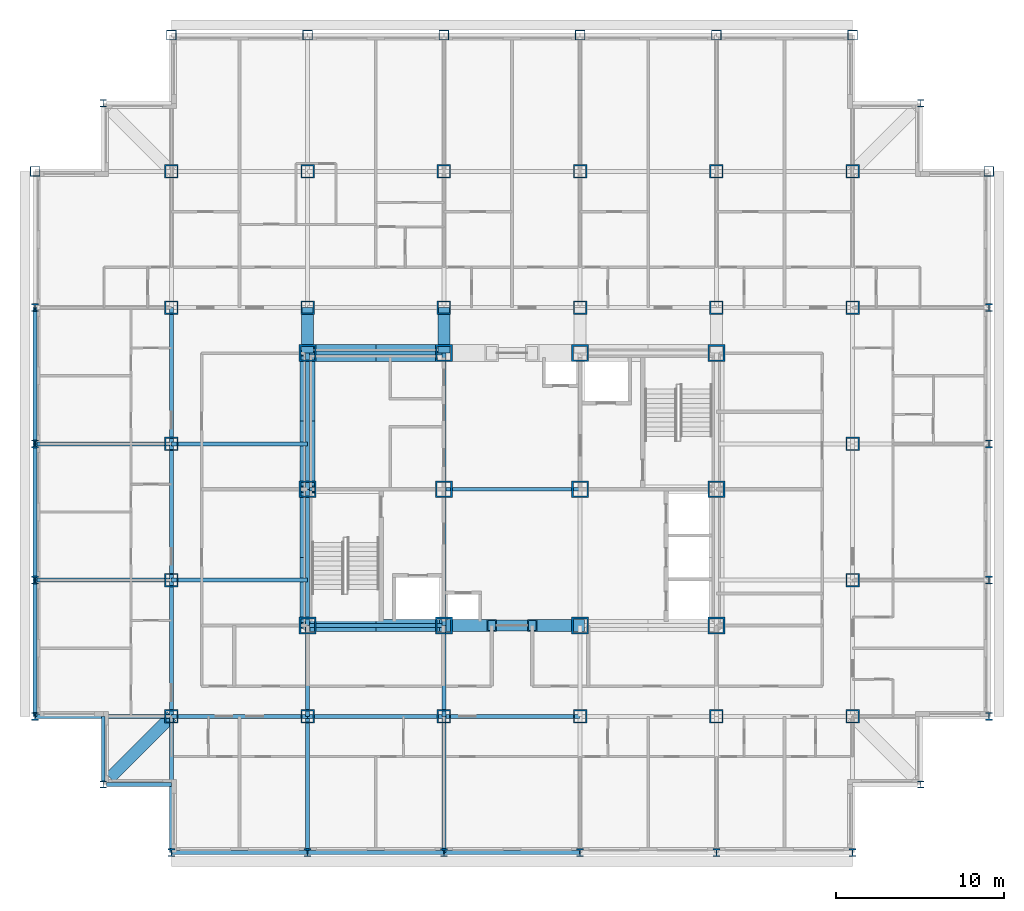
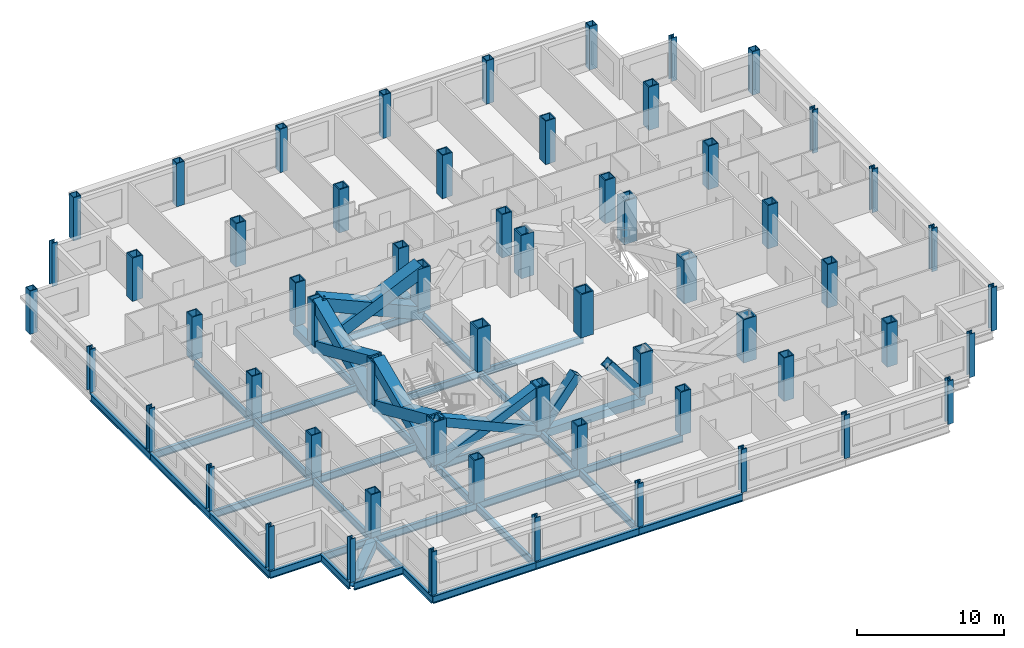
# One storey, part 1 of 12: 60 columns, 36 beams, 10 members.
"""IFC4 building model written with IfcOpenShell, lengths in metres."""

from ifc_helpers import new_model, si_unit, direction, frame, origin, origin_2d, place, context, subcontext, project, spatial, hollow_rectangle, i_section, extrude, material, material_profile, profile_set, type_object, element, save


model = new_model("IFC4")

# Units and contexts
model_context = context("Model", 3, precision=1e-05, world=origin(), true_north=direction((0.0, 1.0)))
body_context = subcontext(model_context, "Body", "Model", "MODEL_VIEW")
ifc_project = project(units=[si_unit("LENGTHUNIT", "METRE"), si_unit("AREAUNIT", "SQUARE_METRE"), si_unit("VOLUMEUNIT", "CUBIC_METRE"), si_unit("PLANEANGLEUNIT", "RADIAN"), si_unit("MASSUNIT", "GRAM", prefix="KILO")], contexts=[model_context])

# Site, building, storey
site_placement = place(None, origin())
site = spatial("IfcSite", under=ifc_project, at=site_placement, CompositionType="ELEMENT")
building_placement = place(site_placement, origin())
building = spatial("IfcBuilding", under=site, at=building_placement, Name="Kopane Lantern Tower", CompositionType="ELEMENT")
storey_placement = place(building_placement, frame((0.0, 0.0, 192.0)))
storey = spatial("IfcBuildingStorey", under=building, at=storey_placement, Name="L49", CompositionType="ELEMENT", Elevation=192.0)

# Columns
ifc_material_1 = material(Name="Steel S355JR", Category="steel")
ifc_material_profile_1 = material_profile(ifc_material_1, hollow_rectangle(XDim=1.0, YDim=1.0, WallThickness=0.10009765625, at=origin_2d()), Name="BOX 1000x1000x100")
ifc_profile_set_1 = profile_set([ifc_material_profile_1], Name="Steel S355JR")
column_type_1 = type_object("IfcColumnType", Name="COLUMN BOX 1000x1000x100", PredefinedType="COLUMN", material=ifc_profile_set_1)
for number, where, z_axis, x_axis, name in (
    (1, (16.199951171875, 24.300048828125, 0.0), (0.0, 0.0, 1.0), (1.0, 0.0, 0.0), "Column 4/E L49"),
    (2, (16.199951171875, 32.39990234375, 0.0), (0.0, 0.0, 1.0), (1.0, 0.0, 0.0), "Column 4/F L49"),
    (3, (16.199951171875, 40.5, 0.0), (0.0, 0.0, 1.0), (1.0, 0.0, 0.0), "Column 4/G L49"),
    (4, (24.300048828125, 24.300048828125, 0.0), (0.0, 0.0, 1.0), (1.0, 0.0, 0.0), "Column 5/E L49"),
    (5, (24.300048828125, 32.39990234375, 0.0), (0.0, 0.0, 1.0), (1.0, 0.0, 0.0), "Column 5/F L49"),
    (6, (24.300048828125, 40.5, 0.0), (0.0, 0.0, 1.0), (1.0, 0.0, 0.0), "Column 5/G L49"),
    (7, (32.39990234375, 24.300048828125, 0.0), (0.0, 0.0, 1.0), (1.0, 0.0, 0.0), "Column 6/E L49"),
    (8, (32.39990234375, 32.39990234375, 0.0), (0.0, 0.0, 1.0), (1.0, 0.0, 0.0), "Column 6/F L49"),
    (9, (32.39990234375, 40.5, 0.0), (0.0, 0.0, 1.0), (1.0, 0.0, 0.0), "Column 6/G L49"),
    (10, (40.5, 24.300048828125, 0.0), (0.0, 0.0, 1.0), (1.0, 0.0, 0.0), "Column 7/E L49"),
    (11, (40.5, 32.39990234375, 0.0), (0.0, 0.0, 1.0), (1.0, 0.0, 0.0), "Column 7/F L49"),
    (12, (40.5, 40.5, 0.0), (0.0, 0.0, 1.0), (1.0, 0.0, 0.0), "Column 7/G L49"),
):
    element("IfcColumn", number, at=place(storey_placement, frame(where, z_axis=z_axis, x_axis=x_axis)), inside=storey, type_object=column_type_1, Name=name, PredefinedType="COLUMN", context=body_context, shape_type="SweptSolid", body=[
        extrude(hollow_rectangle(XDim=1.0, YDim=1.0, WallThickness=0.10009765625, at=origin_2d()), origin(), (0.0, 0.0, 1.0), 3.60009765625),
    ])
ifc_material_2 = material(Name="Steel S355JR", Category="steel")
ifc_material_profile_2 = material_profile(ifc_material_2, hollow_rectangle(XDim=0.60009765625, YDim=0.60009765625, WallThickness=0.050048828125, at=origin_2d()), Name="BOX 600x600x50")
ifc_profile_set_2 = profile_set([ifc_material_profile_2], Name="Steel S355JR")
column_type_2 = type_object("IfcColumnType", Name="COLUMN BOX 600x600x50", PredefinedType="COLUMN", material=ifc_profile_set_2)
for number, where, z_axis, x_axis, name in (
    (13, (0.0, 51.300048828125, 0.0), (0.0, 0.0, 1.0), (1.0, 0.0, 0.0), "Column 2/Q6 L49"),
    (14, (8.10009765625, 59.39990234375, 0.0), (0.0, 0.0, 1.0), (1.0, 0.0, 0.0), "Column 3/Q7 L49"),
    (15, (16.199951171875, 59.39990234375, 0.0), (0.0, 0.0, 1.0), (1.0, 0.0, 0.0), "Column 4/Q7 L49"),
    (16, (24.300048828125, 59.39990234375, 0.0), (0.0, 0.0, 1.0), (1.0, 0.0, 0.0), "Column 5/Q7 L49"),
    (17, (32.39990234375, 59.39990234375, 0.0), (0.0, 0.0, 1.0), (1.0, 0.0, 0.0), "Column 6/Q7 L49"),
    (18, (40.5, 59.39990234375, 0.0), (0.0, 0.0, 1.0), (1.0, 0.0, 0.0), "Column 7/Q7 L49"),
    (19, (48.60009765625, 59.39990234375, 0.0), (0.0, 0.0, 1.0), (1.0, 0.0, 0.0), "Column 8/Q7 L49"),
    (20, (56.699951171875, 51.300048828125, 0.0), (0.0, 0.0, 1.0), (1.0, 0.0, 0.0), "Column 9/Q6 L49"),
):
    element("IfcColumn", number, at=place(storey_placement, frame(where, z_axis=z_axis, x_axis=x_axis)), inside=storey, type_object=column_type_2, Name=name, PredefinedType="COLUMN", context=body_context, shape_type="SweptSolid", body=[
        extrude(hollow_rectangle(XDim=0.60009765625, YDim=0.60009765625, WallThickness=0.050048828125, at=origin_2d()), origin(), (0.0, 0.0, 1.0), 3.60009765625),
    ])
ifc_material_3 = material(Name="Steel S355JR", Category="steel")
ifc_material_profile_3 = material_profile(ifc_material_3, hollow_rectangle(XDim=0.800048828125, YDim=0.800048828125, WallThickness=0.080078125, at=origin_2d()), Name="BOX 800x800x80")
ifc_profile_set_3 = profile_set([ifc_material_profile_3], Name="Steel S355JR")
column_type_3 = type_object("IfcColumnType", Name="COLUMN BOX 800x800x80", PredefinedType="COLUMN", material=ifc_profile_set_3)
for number, where, z_axis, x_axis, name in (
    (21, (8.10009765625, 18.89990234375, 0.0), (0.0, 0.0, 1.0), (1.0, 0.0, 0.0), "Column 3/Q2 L49"),
    (22, (8.10009765625, 27.0, 0.0), (0.0, 0.0, 1.0), (1.0, 0.0, 0.0), "Column 3/Q3 L49"),
    (23, (8.10009765625, 35.10009765625, 0.0), (0.0, 0.0, 1.0), (1.0, 0.0, 0.0), "Column 3/Q4 L49"),
    (24, (8.10009765625, 43.199951171875, 0.0), (0.0, 0.0, 1.0), (1.0, 0.0, 0.0), "Column 3/Q5 L49"),
    (25, (8.10009765625, 51.300048828125, 0.0), (0.0, 0.0, 1.0), (1.0, 0.0, 0.0), "Column 3/Q6 L49"),
    (26, (16.199951171875, 18.89990234375, 0.0), (0.0, 0.0, 1.0), (1.0, 0.0, 0.0), "Column 4/Q2 L49"),
    (27, (16.199951171875, 43.199951171875, 0.0), (0.0, 0.0, 1.0), (1.0, 0.0, 0.0), "Column 4/Q5 L49"),
    (28, (16.199951171875, 51.300048828125, 0.0), (0.0, 0.0, 1.0), (1.0, 0.0, 0.0), "Column 4/Q6 L49"),
    (29, (24.300048828125, 18.89990234375, 0.0), (0.0, 0.0, 1.0), (1.0, 0.0, 0.0), "Column 5/Q2 L49"),
    (30, (24.300048828125, 43.199951171875, 0.0), (0.0, 0.0, 1.0), (1.0, 0.0, 0.0), "Column 5/Q5 L49"),
    (31, (24.300048828125, 51.300048828125, 0.0), (0.0, 0.0, 1.0), (1.0, 0.0, 0.0), "Column 5/Q6 L49"),
    (32, (32.39990234375, 18.89990234375, 0.0), (0.0, 0.0, 1.0), (1.0, 0.0, 0.0), "Column 6/Q2 L49"),
    (33, (32.39990234375, 43.199951171875, 0.0), (0.0, 0.0, 1.0), (1.0, 0.0, 0.0), "Column 6/Q5 L49"),
    (34, (32.39990234375, 51.300048828125, 0.0), (0.0, 0.0, 1.0), (1.0, 0.0, 0.0), "Column 6/Q6 L49"),
    (35, (40.5, 18.89990234375, 0.0), (0.0, 0.0, 1.0), (1.0, 0.0, 0.0), "Column 7/Q2 L49"),
    (36, (40.5, 43.199951171875, 0.0), (0.0, 0.0, 1.0), (1.0, 0.0, 0.0), "Column 7/Q5 L49"),
    (37, (40.5, 51.300048828125, 0.0), (0.0, 0.0, 1.0), (1.0, 0.0, 0.0), "Column 7/Q6 L49"),
    (38, (48.60009765625, 18.89990234375, 0.0), (0.0, 0.0, 1.0), (1.0, 0.0, 0.0), "Column 8/Q2 L49"),
    (39, (48.60009765625, 27.0, 0.0), (0.0, 0.0, 1.0), (1.0, 0.0, 0.0), "Column 8/Q3 L49"),
    (40, (48.60009765625, 35.10009765625, 0.0), (0.0, 0.0, 1.0), (1.0, 0.0, 0.0), "Column 8/Q4 L49"),
    (41, (48.60009765625, 43.199951171875, 0.0), (0.0, 0.0, 1.0), (1.0, 0.0, 0.0), "Column 8/Q5 L49"),
    (42, (48.60009765625, 51.300048828125, 0.0), (0.0, 0.0, 1.0), (1.0, 0.0, 0.0), "Column 8/Q6 L49"),
):
    element("IfcColumn", number, at=place(storey_placement, frame(where, z_axis=z_axis, x_axis=x_axis)), inside=storey, type_object=column_type_3, Name=name, PredefinedType="COLUMN", context=body_context, shape_type="SweptSolid", body=[
        extrude(hollow_rectangle(XDim=0.800048828125, YDim=0.800048828125, WallThickness=0.080078125, at=origin_2d()), origin(), (0.0, 0.0, 1.0), 3.60009765625),
    ])
ifc_material_4 = material(Name="Steel S355JR", Category="steel")
ifc_material_profile_4 = material_profile(ifc_material_4, i_section(OverallWidth=0.406982421875, OverallDepth=0.4189453125, WebThickness=0.030517578125, FlangeThickness=0.04931640625, FilletRadius=0.01513671875, at=origin_2d()), Name="UC 356x406x393")
ifc_profile_set_4 = profile_set([ifc_material_profile_4], Name="Steel S355JR")
column_type_4 = type_object("IfcColumnType", Name="COLUMN UC 356x406x393", PredefinedType="COLUMN", material=ifc_profile_set_4)
for number, where, z_axis, x_axis, name in (
    (43, (4.050048828125, 14.85009765625, 0.0), (0.0, 0.0, 1.0), (1.0, 0.0, 0.0), "Column 4.05/14.85 L49"),
    (44, (4.050048828125, 55.35009765625, 0.0), (0.0, 0.0, 1.0), (1.0, 0.0, 0.0), "Column 4.05/55.35 L49"),
    (45, (52.64990234375, 14.85009765625, 0.0), (0.0, 0.0, 1.0), (1.0, 0.0, 0.0), "Column 52.65/14.85 L49"),
    (46, (52.64990234375, 55.35009765625, 0.0), (0.0, 0.0, 1.0), (1.0, 0.0, 0.0), "Column 52.65/55.35 L49"),
):
    element("IfcColumn", number, at=place(storey_placement, frame(where, z_axis=z_axis, x_axis=x_axis)), inside=storey, type_object=column_type_4, Name=name, PredefinedType="COLUMN", context=body_context, shape_type="SweptSolid", body=[
        extrude(i_section(OverallWidth=0.406982421875, OverallDepth=0.4189453125, WebThickness=0.030517578125, FlangeThickness=0.04931640625, FilletRadius=0.01513671875, at=origin_2d()), origin(), (0.0, 0.0, 1.0), 3.60009765625),
    ])
ifc_material_5 = material(Name="Steel S355JR", Category="steel")
ifc_material_profile_5 = material_profile(ifc_material_5, i_section(OverallWidth=0.424072265625, OverallDepth=0.474609375, WebThickness=0.047607421875, FlangeThickness=0.076904296875, FilletRadius=0.01513671875, at=origin_2d()), Name="UC 356x406x634")
ifc_profile_set_5 = profile_set([ifc_material_profile_5], Name="Steel S355JR")
column_type_5 = type_object("IfcColumnType", Name="COLUMN UC 356x406x634", PredefinedType="COLUMN", material=ifc_profile_set_5)
for number, where, z_axis, x_axis, name in (
    (47, (0.0, 18.89990234375, 0.0), (0.0, 0.0, 1.0), (1.0, 0.0, 0.0), "Column 2/Q2 L49"),
    (48, (0.0, 27.0, 0.0), (0.0, 0.0, 1.0), (1.0, 0.0, 0.0), "Column 2/Q3 L49"),
    (49, (0.0, 35.10009765625, 0.0), (0.0, 0.0, 1.0), (1.0, 0.0, 0.0), "Column 2/Q4 L49"),
    (50, (0.0, 43.199951171875, 0.0), (0.0, 0.0, 1.0), (1.0, 0.0, 0.0), "Column 2/Q5 L49"),
    (51, (8.10009765625, 10.800048828125, 0.0), (0.0, 0.0, 1.0), (1.0, 0.0, 0.0), "Column 3/Q1 L49"),
    (52, (16.199951171875, 10.800048828125, 0.0), (0.0, 0.0, 1.0), (1.0, 0.0, 0.0), "Column 4/Q1 L49"),
    (53, (24.300048828125, 10.800048828125, 0.0), (0.0, 0.0, 1.0), (1.0, 0.0, 0.0), "Column 5/Q1 L49"),
    (54, (32.39990234375, 10.800048828125, 0.0), (0.0, 0.0, 1.0), (1.0, 0.0, 0.0), "Column 6/Q1 L49"),
    (55, (40.5, 10.800048828125, 0.0), (0.0, 0.0, 1.0), (1.0, 0.0, 0.0), "Column 7/Q1 L49"),
    (56, (48.60009765625, 10.800048828125, 0.0), (0.0, 0.0, 1.0), (1.0, 0.0, 0.0), "Column 8/Q1 L49"),
    (57, (56.699951171875, 18.89990234375, 0.0), (0.0, 0.0, 1.0), (1.0, 0.0, 0.0), "Column 9/Q2 L49"),
    (58, (56.699951171875, 27.0, 0.0), (0.0, 0.0, 1.0), (1.0, 0.0, 0.0), "Column 9/Q3 L49"),
    (59, (56.699951171875, 35.10009765625, 0.0), (0.0, 0.0, 1.0), (1.0, 0.0, 0.0), "Column 9/Q4 L49"),
    (60, (56.699951171875, 43.199951171875, 0.0), (0.0, 0.0, 1.0), (1.0, 0.0, 0.0), "Column 9/Q5 L49"),
):
    element("IfcColumn", number, at=place(storey_placement, frame(where, z_axis=z_axis, x_axis=x_axis)), inside=storey, type_object=column_type_5, Name=name, PredefinedType="COLUMN", context=body_context, shape_type="SweptSolid", body=[
        extrude(i_section(OverallWidth=0.424072265625, OverallDepth=0.474609375, WebThickness=0.047607421875, FlangeThickness=0.076904296875, FilletRadius=0.01513671875, at=origin_2d()), origin(), (0.0, 0.0, 1.0), 3.60009765625),
    ])

# Members
ifc_material_6 = material(Name="Steel S355JR", Category="steel")
ifc_material_profile_6 = material_profile(ifc_material_6, hollow_rectangle(XDim=1.0, YDim=1.0, WallThickness=0.10009765625, at=origin_2d()), Name="BOX 1000x1000x100")
ifc_profile_set_6 = profile_set([ifc_material_profile_6], Name="Steel S355JR")
member_type_1 = type_object("IfcMemberType", Name="BRACE BOX 1000x1000x100", PredefinedType="BRACE", material=ifc_profile_set_6)
for number, where, z_axis, x_axis, name in (
    (61, (16.199951171875, 40.5, -0.2099609375), (0.913819498983, 0.0, 0.406120577265), (0.0, 1.0, 0.0), "Core brace L49"),
    (62, (24.300048828125, 40.5, -0.2099609375), (-0.913819498983, 0.0, 0.406120577265), (0.0, -1.0, 0.0), "Core brace L49"),
):
    element("IfcMember", number, at=place(storey_placement, frame(where, z_axis=z_axis, x_axis=x_axis)), inside=storey, type_object=member_type_1, Name=name, PredefinedType="BRACE", context=body_context, shape_type="SweptSolid", body=[
        extrude(hollow_rectangle(XDim=1.0, YDim=1.0, WallThickness=0.10009765625, at=origin_2d()), origin(), (0.0, 0.0, 1.0), 8.864013671875),
    ])
ifc_material_7 = material(Name="Steel S355JR", Category="steel")
ifc_material_profile_7 = material_profile(ifc_material_7, hollow_rectangle(XDim=0.699951171875, YDim=0.699951171875, WallThickness=0.06005859375, at=origin_2d()), Name="BOX 700x700x60")
ifc_profile_set_7 = profile_set([ifc_material_profile_7], Name="Steel S355JR")
member_type_2 = type_object("IfcMemberType", Name="BRACE BOX 700x700x60", PredefinedType="BRACE", material=ifc_profile_set_7)
for number, where, z_axis, x_axis, name in (
    (63, (16.199951171875, 24.300048828125, -0.2099609375), (0.913819498983, 0.0, 0.406120577265), (0.0, 1.0, 0.0), "Core brace L49"),
    (64, (24.300048828125, 24.300048828125, -0.2099609375), (-0.913819498983, 0.0, 0.406120577265), (0.0, -1.0, 0.0), "Core brace L49"),
):
    element("IfcMember", number, at=place(storey_placement, frame(where, z_axis=z_axis, x_axis=x_axis)), inside=storey, type_object=member_type_2, Name=name, PredefinedType="BRACE", context=body_context, shape_type="SweptSolid", body=[
        extrude(hollow_rectangle(XDim=0.699951171875, YDim=0.699951171875, WallThickness=0.06005859375, at=origin_2d()), origin(), (0.0, 0.0, 1.0), 8.864013671875),
    ])
for number, where, z_axis, x_axis, name in (
    (65, (24.300048828125, 24.300048828125, -0.2099609375), (0.620698858423, 0.0, 0.784049059149), (0.0, 1.0, 0.0), "Core brace L49"),
    (66, (32.39990234375, 24.300048828125, -0.2099609375), (-0.620698858423, 0.0, 0.784049059149), (0.0, -1.0, 0.0), "Core brace L49"),
):
    element("IfcMember", number, at=place(storey_placement, frame(where, z_axis=z_axis, x_axis=x_axis)), inside=storey, type_object=member_type_2, Name=name, PredefinedType="BRACE", context=body_context, shape_type="SweptSolid", body=[
        extrude(hollow_rectangle(XDim=0.699951171875, YDim=0.699951171875, WallThickness=0.06005859375, at=origin_2d()), origin(), (0.0, 0.0, 1.0), 4.59130859375),
    ])
ifc_material_8 = material(Name="Steel S355JR", Category="steel")
ifc_material_profile_8 = material_profile(ifc_material_8, hollow_rectangle(XDim=0.89990234375, YDim=0.89990234375, WallThickness=0.090087890625, at=origin_2d()), Name="BOX 900x900x90")
ifc_profile_set_8 = profile_set([ifc_material_profile_8], Name="Steel S355JR")
member_type_3 = type_object("IfcMemberType", Name="BRACE BOX 900x900x90", PredefinedType="BRACE", material=ifc_profile_set_8)
for number, where, z_axis, x_axis, name in (
    (67, (16.199951171875, 24.300048828125, -0.2099609375), (0.0, 0.913814956047, 0.406130799256), (-1.0, 0.0, 0.0), "Core brace L49"),
    (68, (16.199951171875, 32.39990234375, -0.2099609375), (0.0, -0.913814956047, 0.406130799256), (1.0, 0.0, 0.0), "Core brace L49"),
):
    element("IfcMember", number, at=place(storey_placement, frame(where, z_axis=z_axis, x_axis=x_axis)), inside=storey, type_object=member_type_3, Name=name, PredefinedType="BRACE", context=body_context, shape_type="SweptSolid", body=[
        extrude(hollow_rectangle(XDim=0.89990234375, YDim=0.89990234375, WallThickness=0.090087890625, at=origin_2d()), origin(), (0.0, 0.0, 1.0), 8.86376953125),
    ])
for number, where, z_axis, x_axis, name in (
    (69, (16.199951171875, 32.39990234375, -0.2099609375), (0.0, 0.913819498983, 0.406120577265), (-1.0, 0.0, 0.0), "Core brace L49"),
    (70, (16.199951171875, 40.5, -0.2099609375), (0.0, -0.913819498983, 0.406120577265), (1.0, 0.0, 0.0), "Core brace L49"),
):
    element("IfcMember", number, at=place(storey_placement, frame(where, z_axis=z_axis, x_axis=x_axis)), inside=storey, type_object=member_type_3, Name=name, PredefinedType="BRACE", context=body_context, shape_type="SweptSolid", body=[
        extrude(hollow_rectangle(XDim=0.89990234375, YDim=0.89990234375, WallThickness=0.090087890625, at=origin_2d()), origin(), (0.0, 0.0, 1.0), 8.864013671875),
    ])

# Beams
ifc_material_9 = material(Name="Steel S355JR", Category="steel")
ifc_material_profile_9 = material_profile(ifc_material_9, i_section(OverallWidth=0.22900390625, OverallDepth=0.6123046875, WebThickness=0.011962890625, FlangeThickness=0.01953125, FilletRadius=0.0126953125, at=origin_2d()), Name="UB 610x229x125")
ifc_profile_set_9 = profile_set([ifc_material_profile_9], Name="Steel S355JR")
beam_type_1 = type_object("IfcBeamType", Name="CORE BEAM UB 610x229x125", PredefinedType="BEAM", material=ifc_profile_set_9)
beam_1_placement = place(storey_placement, frame((16.199951171875, 32.39990234375, -0.51611328125), z_axis=(1.0, 0.0, 0.0), x_axis=(0.0, 1.0, 0.0)))
element("IfcBeam", 71, at=beam_1_placement, inside=storey, type_object=beam_type_1, Name="Core Beam L49", PredefinedType="BEAM", context=body_context, shape_type="SweptSolid", body=[
    extrude(i_section(OverallWidth=0.22900390625, OverallDepth=0.6123046875, WebThickness=0.011962890625, FlangeThickness=0.01953125, FilletRadius=0.0126953125, at=origin_2d()), origin(), (0.0, 0.0, 1.0), 8.10009765625),
])
beam_2_placement = place(storey_placement, frame((24.300048828125, 24.300048828125, -0.51611328125), z_axis=(0.0, 1.0, 0.0), x_axis=(-1.0, 0.0, 0.0)))
element("IfcBeam", 72, at=beam_2_placement, inside=storey, type_object=beam_type_1, Name="Core Beam L49", PredefinedType="BEAM", context=body_context, shape_type="SweptSolid", body=[
    extrude(i_section(OverallWidth=0.22900390625, OverallDepth=0.6123046875, WebThickness=0.011962890625, FlangeThickness=0.01953125, FilletRadius=0.0126953125, at=origin_2d()), origin(), (0.0, 0.0, 1.0), 8.099853515625),
])
beam_3_placement = place(storey_placement, frame((24.300048828125, 32.39990234375, -0.51611328125), z_axis=(0.0, 1.0, 0.0), x_axis=(-1.0, 0.0, 0.0)))
element("IfcBeam", 73, at=beam_3_placement, inside=storey, type_object=beam_type_1, Name="Core Beam L49", PredefinedType="BEAM", context=body_context, shape_type="SweptSolid", body=[
    extrude(i_section(OverallWidth=0.22900390625, OverallDepth=0.6123046875, WebThickness=0.011962890625, FlangeThickness=0.01953125, FilletRadius=0.0126953125, at=origin_2d()), origin(), (0.0, 0.0, 1.0), 8.10009765625),
])
beam_4_placement = place(storey_placement, frame((24.300048828125, 32.39990234375, -0.51611328125), z_axis=(1.0, 0.0, 0.0), x_axis=(0.0, 1.0, 0.0)))
element("IfcBeam", 74, at=beam_4_placement, inside=storey, type_object=beam_type_1, Name="Core Beam L49", PredefinedType="BEAM", context=body_context, shape_type="SweptSolid", body=[
    extrude(i_section(OverallWidth=0.22900390625, OverallDepth=0.6123046875, WebThickness=0.011962890625, FlangeThickness=0.01953125, FilletRadius=0.0126953125, at=origin_2d()), origin(), (0.0, 0.0, 1.0), 8.099853515625),
])
ifc_material_10 = material(Name="Steel S355JR", Category="steel")
ifc_material_profile_10 = material_profile(ifc_material_10, hollow_rectangle(XDim=0.699951171875, YDim=0.699951171875, WallThickness=0.06005859375, at=origin_2d()), Name="BOX 700x700x60")
ifc_profile_set_10 = profile_set([ifc_material_profile_10], Name="Steel S355JR")
beam_type_2 = type_object("IfcBeamType", Name="CORNER TIE BEAM BOX 700x700x60", PredefinedType="BEAM", material=ifc_profile_set_10)
beam_5_placement = place(storey_placement, frame((4.447509765625, 15.24755859375, -0.56005859375), z_axis=(0.70713041325, 0.707083148333, 0.0), x_axis=(-0.707083148333, 0.70713041325, 0.0)))
element("IfcBeam", 75, at=beam_5_placement, inside=storey, type_object=beam_type_2, Name="Corner Tie Beam L49", PredefinedType="BEAM", context=body_context, shape_type="SweptSolid", body=[
    extrude(hollow_rectangle(XDim=0.699951171875, YDim=0.699951171875, WallThickness=0.06005859375, at=origin_2d()), origin(), (0.0, 0.0, 1.0), 5.165283203125),
])
ifc_material_11 = material(Name="Steel S355JR", Category="steel")
ifc_material_profile_11 = material_profile(ifc_material_11, i_section(OverallWidth=0.22900390625, OverallDepth=0.6123046875, WebThickness=0.011962890625, FlangeThickness=0.01953125, FilletRadius=0.0126953125, at=origin_2d()), Name="UB 610x229x125")
ifc_profile_set_11 = profile_set([ifc_material_profile_11], Name="Steel S355JR")
beam_type_3 = type_object("IfcBeamType", Name="EDGE BEAM UB 610x229x125", PredefinedType="BEAM", material=ifc_profile_set_11)
beam_6_placement = place(storey_placement, frame((4.050048828125, 15.053466796875, -0.51611328125), z_axis=(0.0, 1.0, 0.0), x_axis=(-1.0, 0.0, 0.0)))
element("IfcBeam", 76, at=beam_6_placement, inside=storey, type_object=beam_type_3, Name="Edge Beam L49", PredefinedType="BEAM", context=body_context, shape_type="SweptSolid", body=[
    extrude(i_section(OverallWidth=0.22900390625, OverallDepth=0.6123046875, WebThickness=0.011962890625, FlangeThickness=0.01953125, FilletRadius=0.0126953125, at=origin_2d()), origin(), (0.0, 0.0, 1.0), 3.846435546875),
])
beam_7_placement = place(storey_placement, frame((4.25341796875, 14.85009765625, -0.51611328125), z_axis=(1.0, 0.0, 0.0), x_axis=(0.0, 1.0, 0.0)))
element("IfcBeam", 77, at=beam_7_placement, inside=storey, type_object=beam_type_3, Name="Edge Beam L49", PredefinedType="BEAM", context=body_context, shape_type="SweptSolid", body=[
    extrude(i_section(OverallWidth=0.22900390625, OverallDepth=0.6123046875, WebThickness=0.011962890625, FlangeThickness=0.01953125, FilletRadius=0.0126953125, at=origin_2d()), origin(), (0.0, 0.0, 1.0), 3.8466796875),
])
ifc_material_12 = material(Name="Steel S355JR", Category="steel")
ifc_material_profile_12 = material_profile(ifc_material_12, hollow_rectangle(XDim=0.699951171875, YDim=0.699951171875, WallThickness=0.06005859375, at=origin_2d()), Name="BOX 700x700x60")
ifc_profile_set_12 = profile_set([ifc_material_profile_12], Name="Steel S355JR")
beam_type_4 = type_object("IfcBeamType", Name="GIRDER BOX 700x700x60", PredefinedType="BEAM", material=ifc_profile_set_12)
for number, where, z_axis, x_axis, name in (
    (78, (16.199951171875, 40.5, -0.56005859375), (0.0, 1.0, 0.0), (-1.0, 0.0, 0.0), "Girder L49"),
    (79, (24.300048828125, 40.5, -0.56005859375), (0.0, 1.0, 0.0), (-1.0, 0.0, 0.0), "Girder L49"),
):
    element("IfcBeam", number, at=place(storey_placement, frame(where, z_axis=z_axis, x_axis=x_axis)), inside=storey, type_object=beam_type_4, Name=name, PredefinedType="BEAM", context=body_context, shape_type="SweptSolid", body=[
        extrude(hollow_rectangle(XDim=0.699951171875, YDim=0.699951171875, WallThickness=0.06005859375, at=origin_2d()), origin(), (0.0, 0.0, 1.0), 2.699951171875),
    ])
ifc_material_13 = material(Name="Steel S355JR", Category="steel")
ifc_material_profile_13 = material_profile(ifc_material_13, i_section(OverallWidth=0.22900390625, OverallDepth=0.6123046875, WebThickness=0.011962890625, FlangeThickness=0.01953125, FilletRadius=0.0126953125, at=origin_2d()), Name="UB 610x229x125")
ifc_profile_set_13 = profile_set([ifc_material_profile_13], Name="Steel S355JR")
beam_type_5 = type_object("IfcBeamType", Name="GIRDER UB 610x229x125", PredefinedType="BEAM", material=ifc_profile_set_13)
for number, where, z_axis, x_axis, name in (
    (80, (0.0, 18.89990234375, -0.51611328125), (0.0, 1.0, 0.0), (-1.0, 0.0, 0.0), "Girder L49"),
    (81, (0.0, 18.89990234375, -0.51611328125), (1.0, 0.0, 0.0), (0.0, 1.0, 0.0), "Girder L49"),
    (82, (0.0, 27.0, -0.51611328125), (0.0, 1.0, 0.0), (-1.0, 0.0, 0.0), "Girder L49"),
    (83, (0.0, 27.0, -0.51611328125), (1.0, 0.0, 0.0), (0.0, 1.0, 0.0), "Girder L49"),
):
    element("IfcBeam", number, at=place(storey_placement, frame(where, z_axis=z_axis, x_axis=x_axis)), inside=storey, type_object=beam_type_5, Name=name, PredefinedType="BEAM", context=body_context, shape_type="SweptSolid", body=[
        extrude(i_section(OverallWidth=0.22900390625, OverallDepth=0.6123046875, WebThickness=0.011962890625, FlangeThickness=0.01953125, FilletRadius=0.0126953125, at=origin_2d()), origin(), (0.0, 0.0, 1.0), 8.10009765625),
    ])
beam_8_placement = place(storey_placement, frame((0.0, 35.10009765625, -0.51611328125), z_axis=(0.0, 1.0, 0.0), x_axis=(-1.0, 0.0, 0.0)))
element("IfcBeam", 84, at=beam_8_placement, inside=storey, type_object=beam_type_5, Name="Girder L49", PredefinedType="BEAM", context=body_context, shape_type="SweptSolid", body=[
    extrude(i_section(OverallWidth=0.22900390625, OverallDepth=0.6123046875, WebThickness=0.011962890625, FlangeThickness=0.01953125, FilletRadius=0.0126953125, at=origin_2d()), origin(), (0.0, 0.0, 1.0), 8.099853515625),
])
beam_9_placement = place(storey_placement, frame((0.0, 35.10009765625, -0.51611328125), z_axis=(1.0, 0.0, 0.0), x_axis=(0.0, 1.0, 0.0)))
element("IfcBeam", 85, at=beam_9_placement, inside=storey, type_object=beam_type_5, Name="Girder L49", PredefinedType="BEAM", context=body_context, shape_type="SweptSolid", body=[
    extrude(i_section(OverallWidth=0.22900390625, OverallDepth=0.6123046875, WebThickness=0.011962890625, FlangeThickness=0.01953125, FilletRadius=0.0126953125, at=origin_2d()), origin(), (0.0, 0.0, 1.0), 8.10009765625),
])
for number, where, z_axis, x_axis, name in (
    (86, (8.10009765625, 10.800048828125, -0.51611328125), (0.0, 1.0, 0.0), (-1.0, 0.0, 0.0), "Girder L49"),
    (87, (8.10009765625, 10.800048828125, -0.51611328125), (1.0, 0.0, 0.0), (0.0, 1.0, 0.0), "Girder L49"),
):
    element("IfcBeam", number, at=place(storey_placement, frame(where, z_axis=z_axis, x_axis=x_axis)), inside=storey, type_object=beam_type_5, Name=name, PredefinedType="BEAM", context=body_context, shape_type="SweptSolid", body=[
        extrude(i_section(OverallWidth=0.22900390625, OverallDepth=0.6123046875, WebThickness=0.011962890625, FlangeThickness=0.01953125, FilletRadius=0.0126953125, at=origin_2d()), origin(), (0.0, 0.0, 1.0), 8.099853515625),
    ])
beam_10_placement = place(storey_placement, frame((8.10009765625, 18.89990234375, -0.51611328125), z_axis=(0.0, 1.0, 0.0), x_axis=(-1.0, 0.0, 0.0)))
element("IfcBeam", 88, at=beam_10_placement, inside=storey, type_object=beam_type_5, Name="Girder L49", PredefinedType="BEAM", context=body_context, shape_type="SweptSolid", body=[
    extrude(i_section(OverallWidth=0.22900390625, OverallDepth=0.6123046875, WebThickness=0.011962890625, FlangeThickness=0.01953125, FilletRadius=0.0126953125, at=origin_2d()), origin(), (0.0, 0.0, 1.0), 8.10009765625),
])
beam_11_placement = place(storey_placement, frame((8.10009765625, 18.89990234375, -0.51611328125), z_axis=(1.0, 0.0, 0.0), x_axis=(0.0, 1.0, 0.0)))
element("IfcBeam", 89, at=beam_11_placement, inside=storey, type_object=beam_type_5, Name="Girder L49", PredefinedType="BEAM", context=body_context, shape_type="SweptSolid", body=[
    extrude(i_section(OverallWidth=0.22900390625, OverallDepth=0.6123046875, WebThickness=0.011962890625, FlangeThickness=0.01953125, FilletRadius=0.0126953125, at=origin_2d()), origin(), (0.0, 0.0, 1.0), 8.099853515625),
])
beam_12_placement = place(storey_placement, frame((8.10009765625, 27.0, -0.51611328125), z_axis=(0.0, 1.0, 0.0), x_axis=(-1.0, 0.0, 0.0)))
element("IfcBeam", 90, at=beam_12_placement, inside=storey, type_object=beam_type_5, Name="Girder L49", PredefinedType="BEAM", context=body_context, shape_type="SweptSolid", body=[
    extrude(i_section(OverallWidth=0.22900390625, OverallDepth=0.6123046875, WebThickness=0.011962890625, FlangeThickness=0.01953125, FilletRadius=0.0126953125, at=origin_2d()), origin(), (0.0, 0.0, 1.0), 8.10009765625),
])
for number, where, z_axis, x_axis, name in (
    (91, (8.10009765625, 27.0, -0.51611328125), (1.0, 0.0, 0.0), (0.0, 1.0, 0.0), "Girder L49"),
    (92, (8.10009765625, 35.10009765625, -0.51611328125), (0.0, 1.0, 0.0), (-1.0, 0.0, 0.0), "Girder L49"),
    (93, (8.10009765625, 35.10009765625, -0.51611328125), (1.0, 0.0, 0.0), (0.0, 1.0, 0.0), "Girder L49"),
    (94, (16.199951171875, 10.800048828125, -0.51611328125), (0.0, 1.0, 0.0), (-1.0, 0.0, 0.0), "Girder L49"),
):
    element("IfcBeam", number, at=place(storey_placement, frame(where, z_axis=z_axis, x_axis=x_axis)), inside=storey, type_object=beam_type_5, Name=name, PredefinedType="BEAM", context=body_context, shape_type="SweptSolid", body=[
        extrude(i_section(OverallWidth=0.22900390625, OverallDepth=0.6123046875, WebThickness=0.011962890625, FlangeThickness=0.01953125, FilletRadius=0.0126953125, at=origin_2d()), origin(), (0.0, 0.0, 1.0), 8.099853515625),
    ])
beam_13_placement = place(storey_placement, frame((16.199951171875, 10.800048828125, -0.51611328125), z_axis=(1.0, 0.0, 0.0), x_axis=(0.0, 1.0, 0.0)))
element("IfcBeam", 95, at=beam_13_placement, inside=storey, type_object=beam_type_5, Name="Girder L49", PredefinedType="BEAM", context=body_context, shape_type="SweptSolid", body=[
    extrude(i_section(OverallWidth=0.22900390625, OverallDepth=0.6123046875, WebThickness=0.011962890625, FlangeThickness=0.01953125, FilletRadius=0.0126953125, at=origin_2d()), origin(), (0.0, 0.0, 1.0), 8.10009765625),
])
beam_14_placement = place(storey_placement, frame((16.199951171875, 18.89990234375, -0.51611328125), z_axis=(0.0, 1.0, 0.0), x_axis=(-1.0, 0.0, 0.0)))
element("IfcBeam", 96, at=beam_14_placement, inside=storey, type_object=beam_type_5, Name="Girder L49", PredefinedType="BEAM", context=body_context, shape_type="SweptSolid", body=[
    extrude(i_section(OverallWidth=0.22900390625, OverallDepth=0.6123046875, WebThickness=0.011962890625, FlangeThickness=0.01953125, FilletRadius=0.0126953125, at=origin_2d()), origin(), (0.0, 0.0, 1.0), 5.400146484375),
])
beam_15_placement = place(storey_placement, frame((16.199951171875, 18.89990234375, -0.51611328125), z_axis=(1.0, 0.0, 0.0), x_axis=(0.0, 1.0, 0.0)))
element("IfcBeam", 97, at=beam_15_placement, inside=storey, type_object=beam_type_5, Name="Girder L49", PredefinedType="BEAM", context=body_context, shape_type="SweptSolid", body=[
    extrude(i_section(OverallWidth=0.22900390625, OverallDepth=0.6123046875, WebThickness=0.011962890625, FlangeThickness=0.01953125, FilletRadius=0.0126953125, at=origin_2d()), origin(), (0.0, 0.0, 1.0), 8.10009765625),
])
beam_16_placement = place(storey_placement, frame((16.199951171875, 24.300048828125, -0.51611328125), z_axis=(0.0, 1.0, 0.0), x_axis=(-1.0, 0.0, 0.0)))
element("IfcBeam", 98, at=beam_16_placement, inside=storey, type_object=beam_type_5, Name="Girder L49", PredefinedType="BEAM", context=body_context, shape_type="SweptSolid", body=[
    extrude(i_section(OverallWidth=0.22900390625, OverallDepth=0.6123046875, WebThickness=0.011962890625, FlangeThickness=0.01953125, FilletRadius=0.0126953125, at=origin_2d()), origin(), (0.0, 0.0, 1.0), 8.099853515625),
])
for number, where, z_axis, x_axis, name in (
    (99, (16.199951171875, 24.300048828125, -0.51611328125), (1.0, 0.0, 0.0), (0.0, 1.0, 0.0), "Girder L49"),
    (100, (16.199951171875, 32.39990234375, -0.51611328125), (0.0, 1.0, 0.0), (-1.0, 0.0, 0.0), "Girder L49"),
    (101, (16.199951171875, 40.5, -0.51611328125), (1.0, 0.0, 0.0), (0.0, 1.0, 0.0), "Girder L49"),
):
    element("IfcBeam", number, at=place(storey_placement, frame(where, z_axis=z_axis, x_axis=x_axis)), inside=storey, type_object=beam_type_5, Name=name, PredefinedType="BEAM", context=body_context, shape_type="SweptSolid", body=[
        extrude(i_section(OverallWidth=0.22900390625, OverallDepth=0.6123046875, WebThickness=0.011962890625, FlangeThickness=0.01953125, FilletRadius=0.0126953125, at=origin_2d()), origin(), (0.0, 0.0, 1.0), 8.10009765625),
    ])
for number, where, z_axis, x_axis, name in (
    (102, (24.300048828125, 10.800048828125, -0.51611328125), (0.0, 1.0, 0.0), (-1.0, 0.0, 0.0), "Girder L49"),
    (103, (24.300048828125, 10.800048828125, -0.51611328125), (1.0, 0.0, 0.0), (0.0, 1.0, 0.0), "Girder L49"),
):
    element("IfcBeam", number, at=place(storey_placement, frame(where, z_axis=z_axis, x_axis=x_axis)), inside=storey, type_object=beam_type_5, Name=name, PredefinedType="BEAM", context=body_context, shape_type="SweptSolid", body=[
        extrude(i_section(OverallWidth=0.22900390625, OverallDepth=0.6123046875, WebThickness=0.011962890625, FlangeThickness=0.01953125, FilletRadius=0.0126953125, at=origin_2d()), origin(), (0.0, 0.0, 1.0), 8.099853515625),
    ])
beam_17_placement = place(storey_placement, frame((24.300048828125, 18.89990234375, -0.51611328125), z_axis=(0.0, 1.0, 0.0), x_axis=(-1.0, 0.0, 0.0)))
element("IfcBeam", 104, at=beam_17_placement, inside=storey, type_object=beam_type_5, Name="Girder L49", PredefinedType="BEAM", context=body_context, shape_type="SweptSolid", body=[
    extrude(i_section(OverallWidth=0.22900390625, OverallDepth=0.6123046875, WebThickness=0.011962890625, FlangeThickness=0.01953125, FilletRadius=0.0126953125, at=origin_2d()), origin(), (0.0, 0.0, 1.0), 5.400146484375),
])
beam_18_placement = place(storey_placement, frame((24.300048828125, 18.89990234375, -0.51611328125), z_axis=(1.0, 0.0, 0.0), x_axis=(0.0, 1.0, 0.0)))
element("IfcBeam", 105, at=beam_18_placement, inside=storey, type_object=beam_type_5, Name="Girder L49", PredefinedType="BEAM", context=body_context, shape_type="SweptSolid", body=[
    extrude(i_section(OverallWidth=0.22900390625, OverallDepth=0.6123046875, WebThickness=0.011962890625, FlangeThickness=0.01953125, FilletRadius=0.0126953125, at=origin_2d()), origin(), (0.0, 0.0, 1.0), 8.099853515625),
])
ifc_material_14 = material(Name="Steel S355JR", Category="steel")
ifc_material_profile_14 = material_profile(ifc_material_14, hollow_rectangle(XDim=0.64990234375, YDim=0.64990234375, WallThickness=0.070068359375, at=origin_2d()), Name="BOX 650x650x70")
ifc_profile_set_14 = profile_set([ifc_material_profile_14], Name="Steel S355JR")
beam_type_6 = type_object("IfcBeamType", Name="LINK BEAM BOX 650x650x70", PredefinedType="BEAM", material=ifc_profile_set_14)
beam_19_placement = place(storey_placement, frame((24.300048828125, 24.300048828125, -0.534912109375), z_axis=(1.0, 0.0, 0.0), x_axis=(0.0, 1.0, 0.0)))
element("IfcBeam", 106, at=beam_19_placement, inside=storey, type_object=beam_type_6, Name="Link Beam L49", PredefinedType="BEAM", context=body_context, shape_type="SweptSolid", body=[
    extrude(hollow_rectangle(XDim=0.64990234375, YDim=0.64990234375, WallThickness=0.070068359375, at=origin_2d()), origin(), (0.0, 0.0, 1.0), 8.099853515625),
])

save(model, "model.ifc")
